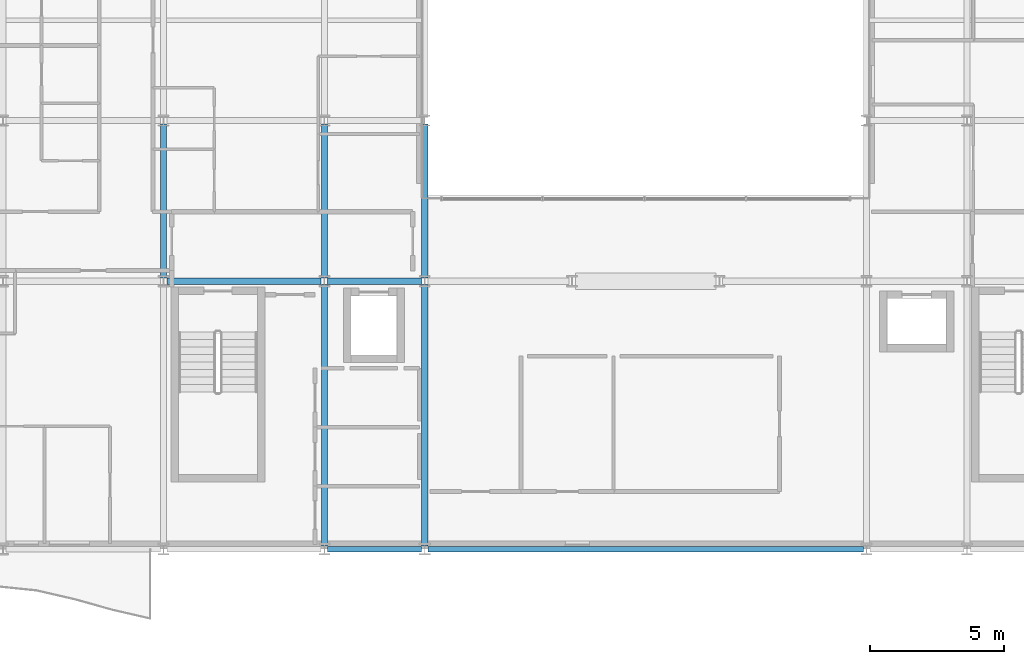
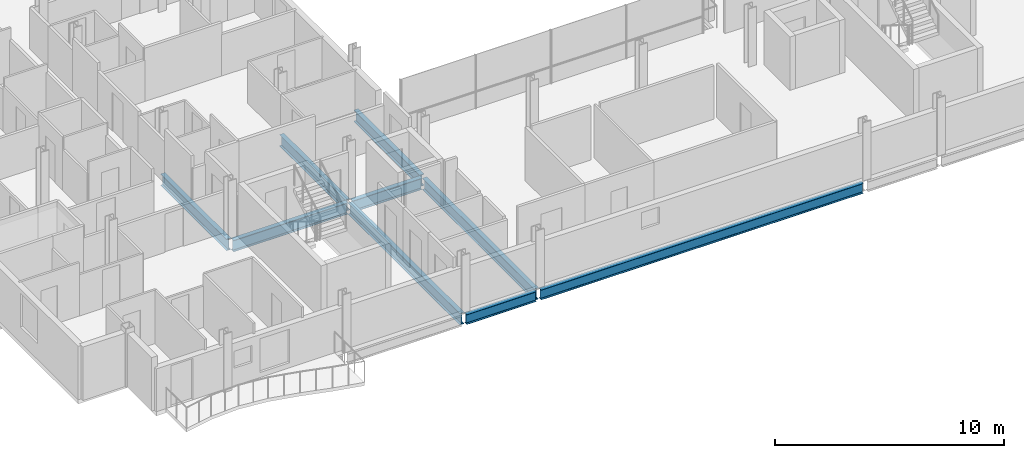
# One storey, part 3 of 40: 9 beams.
"""IFC4 building model written with IfcOpenShell, lengths in metres."""

from ifc_helpers import new_model, si_unit, direction, frame, origin, origin_2d, place, context, subcontext, project, spatial, i_section, extrude, material, material_profile, profile_set, type_object, element, save


model = new_model("IFC4")

# Units and contexts
model_context = context("Model", 3, precision=1e-05, world=origin(), true_north=direction((0.0, 1.0)))
body_context = subcontext(model_context, "Body", "Model", "MODEL_VIEW")
ifc_project = project(units=[si_unit("LENGTHUNIT", "METRE"), si_unit("AREAUNIT", "SQUARE_METRE"), si_unit("VOLUMEUNIT", "CUBIC_METRE"), si_unit("PLANEANGLEUNIT", "RADIAN"), si_unit("MASSUNIT", "GRAM", prefix="KILO")], contexts=[model_context])

# Site, building, storey
site_placement = place(None, origin())
site = spatial("IfcSite", under=ifc_project, at=site_placement, CompositionType="ELEMENT")
building_placement = place(site_placement, origin())
building = spatial("IfcBuilding", under=site, at=building_placement, Name="Brevholm Reach", CompositionType="ELEMENT")
storey_placement = place(building_placement, frame((0.0, 0.0, 131.39990234375)))
storey = spatial("IfcBuildingStorey", under=building, at=storey_placement, Name="L39", CompositionType="ELEMENT", Elevation=131.39990234375)

# Beams
ifc_material_1 = material(Name="Structural Steel S355J2", Category="steel")
ifc_material_profile_1 = material_profile(ifc_material_1, i_section(OverallWidth=0.209228515625, OverallDepth=0.533203125, WebThickness=0.010009765625, FlangeThickness=0.015625, FilletRadius=0.0126953125, at=origin_2d()), Name="UKB 533x210x92")
ifc_profile_set_1 = profile_set([ifc_material_profile_1], Name="Structural Steel S355J2")
beam_type_1 = type_object("IfcBeamType", Name="BM-SP533", PredefinedType="SPANDREL", material=ifc_profile_set_1)
beam_1_placement = place(storey_placement, frame((18.1201171875, 0.0, -0.486572265625), z_axis=(1.0, 0.0, 0.0), x_axis=(0.0, 1.0, 0.0)))
element("IfcBeam", 1, at=beam_1_placement, inside=storey, type_object=beam_type_1, Name="L39 SP-02 Framing Beam", PredefinedType="SPANDREL", context=body_context, shape_type="SweptSolid", body=[
    extrude(i_section(OverallWidth=0.209228515625, OverallDepth=0.533203125, WebThickness=0.010009765625, FlangeThickness=0.015625, FilletRadius=0.0126953125, at=origin_2d()), origin(), (0.0, 0.0, 1.0), 3.509765625),
])
beam_2_placement = place(storey_placement, frame((21.8701171875, 0.0, -0.486572265625), z_axis=(1.0, 0.0, 0.0), x_axis=(0.0, 1.0, 0.0)))
element("IfcBeam", 2, at=beam_2_placement, inside=storey, type_object=beam_type_1, Name="L39 SP-02 Framing Beam", PredefinedType="SPANDREL", context=body_context, shape_type="SweptSolid", body=[
    extrude(i_section(OverallWidth=0.209228515625, OverallDepth=0.533203125, WebThickness=0.010009765625, FlangeThickness=0.015625, FilletRadius=0.0126953125, at=origin_2d()), origin(), (0.0, 0.0, 1.0), 16.259765625),
])
ifc_material_2 = material(Name="Structural Steel S355J2", Category="steel")
ifc_material_profile_2 = material_profile(ifc_material_2, i_section(OverallWidth=0.22900390625, OverallDepth=0.6123046875, WebThickness=0.011962890625, FlangeThickness=0.01953125, FilletRadius=0.0126953125, at=origin_2d()), Name="UKB 610x229x125")
ifc_profile_set_2 = profile_set([ifc_material_profile_2], Name="Structural Steel S355J2")
beam_type_2 = type_object("IfcBeamType", Name="BM-SP610", PredefinedType="SPANDREL", material=ifc_profile_set_2)
beam_3_placement = place(storey_placement, frame((12.1201171875, 10.0, -0.526123046875), z_axis=(1.0, 0.0, 0.0), x_axis=(0.0, 1.0, 0.0)))
element("IfcBeam", 3, at=beam_3_placement, inside=storey, type_object=beam_type_2, Name="L39 SP-01 Framing Beam", PredefinedType="SPANDREL", context=body_context, shape_type="SweptSolid", body=[
    extrude(i_section(OverallWidth=0.22900390625, OverallDepth=0.6123046875, WebThickness=0.011962890625, FlangeThickness=0.01953125, FilletRadius=0.0126953125, at=origin_2d()), origin(), (0.0, 0.0, 1.0), 5.759765625),
])
beam_4_placement = place(storey_placement, frame((18.1201171875, 10.0, -0.526123046875), z_axis=(1.0, 0.0, 0.0), x_axis=(0.0, 1.0, 0.0)))
element("IfcBeam", 4, at=beam_4_placement, inside=storey, type_object=beam_type_2, Name="L39 SP-01 Framing Beam", PredefinedType="SPANDREL", context=body_context, shape_type="SweptSolid", body=[
    extrude(i_section(OverallWidth=0.22900390625, OverallDepth=0.6123046875, WebThickness=0.011962890625, FlangeThickness=0.01953125, FilletRadius=0.0126953125, at=origin_2d()), origin(), (0.0, 0.0, 1.0), 3.509765625),
])
beam_5_placement = place(storey_placement, frame((12.0, 10.1201171875, -0.526123046875), z_axis=(0.0, 1.0, 0.0), x_axis=(-1.0, 0.0, 0.0)))
element("IfcBeam", 5, at=beam_5_placement, inside=storey, type_object=beam_type_2, Name="L39 SP-01 Framing Beam", PredefinedType="SPANDREL", context=body_context, shape_type="SweptSolid", body=[
    extrude(i_section(OverallWidth=0.22900390625, OverallDepth=0.6123046875, WebThickness=0.011962890625, FlangeThickness=0.01953125, FilletRadius=0.0126953125, at=origin_2d()), origin(), (0.0, 0.0, 1.0), 5.759765625),
])
beam_6_placement = place(storey_placement, frame((18.0, 0.1201171875, -0.526123046875), z_axis=(0.0, 1.0, 0.0), x_axis=(-1.0, 0.0, 0.0)))
element("IfcBeam", 6, at=beam_6_placement, inside=storey, type_object=beam_type_2, Name="L39 SP-01 Framing Beam", PredefinedType="SPANDREL", context=body_context, shape_type="SweptSolid", body=[
    extrude(i_section(OverallWidth=0.22900390625, OverallDepth=0.6123046875, WebThickness=0.011962890625, FlangeThickness=0.01953125, FilletRadius=0.0126953125, at=origin_2d()), origin(), (0.0, 0.0, 1.0), 9.759765625),
])
beam_7_placement = place(storey_placement, frame((18.0, 10.1201171875, -0.526123046875), z_axis=(0.0, 1.0, 0.0), x_axis=(-1.0, 0.0, 0.0)))
element("IfcBeam", 7, at=beam_7_placement, inside=storey, type_object=beam_type_2, Name="L39 SP-01 Framing Beam", PredefinedType="SPANDREL", context=body_context, shape_type="SweptSolid", body=[
    extrude(i_section(OverallWidth=0.22900390625, OverallDepth=0.6123046875, WebThickness=0.011962890625, FlangeThickness=0.01953125, FilletRadius=0.0126953125, at=origin_2d()), origin(), (0.0, 0.0, 1.0), 5.759765625),
])
beam_8_placement = place(storey_placement, frame((21.75, 0.1201171875, -0.526123046875), z_axis=(0.0, 1.0, 0.0), x_axis=(-1.0, 0.0, 0.0)))
element("IfcBeam", 8, at=beam_8_placement, inside=storey, type_object=beam_type_2, Name="L39 SP-01 Framing Beam", PredefinedType="SPANDREL", context=body_context, shape_type="SweptSolid", body=[
    extrude(i_section(OverallWidth=0.22900390625, OverallDepth=0.6123046875, WebThickness=0.011962890625, FlangeThickness=0.01953125, FilletRadius=0.0126953125, at=origin_2d()), origin(), (0.0, 0.0, 1.0), 9.759765625),
])
beam_9_placement = place(storey_placement, frame((21.75, 10.1201171875, -0.526123046875), z_axis=(0.0, 1.0, 0.0), x_axis=(-1.0, 0.0, 0.0)))
element("IfcBeam", 9, at=beam_9_placement, inside=storey, type_object=beam_type_2, Name="L39 SP-01 Framing Beam", PredefinedType="SPANDREL", context=body_context, shape_type="SweptSolid", body=[
    extrude(i_section(OverallWidth=0.22900390625, OverallDepth=0.6123046875, WebThickness=0.011962890625, FlangeThickness=0.01953125, FilletRadius=0.0126953125, at=origin_2d()), origin(), (0.0, 0.0, 1.0), 5.759765625),
])

save(model, "model.ifc")
